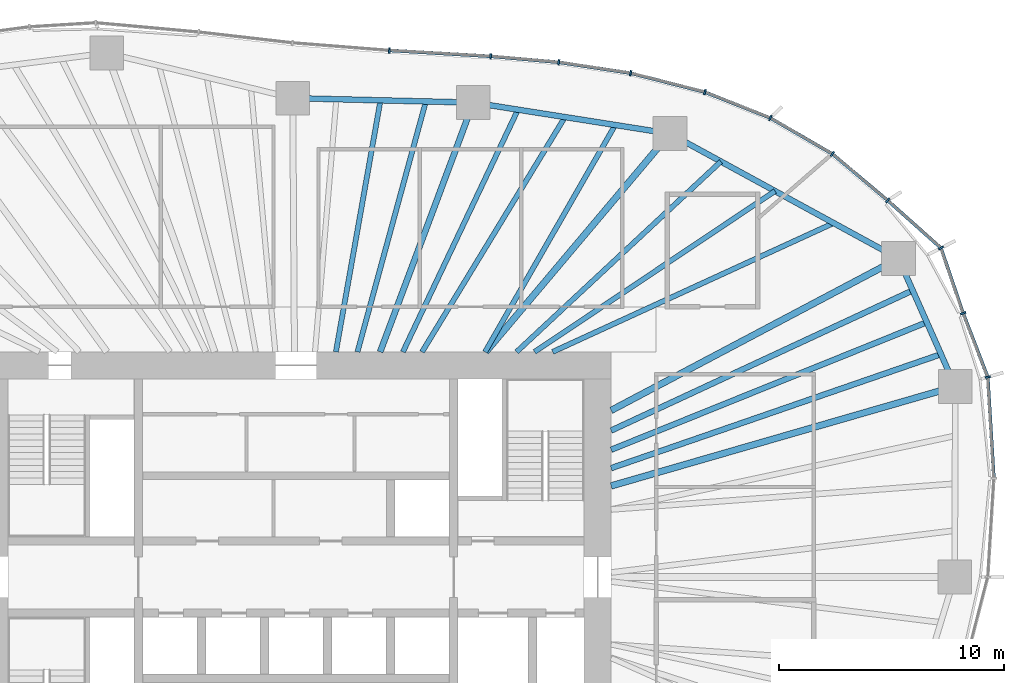
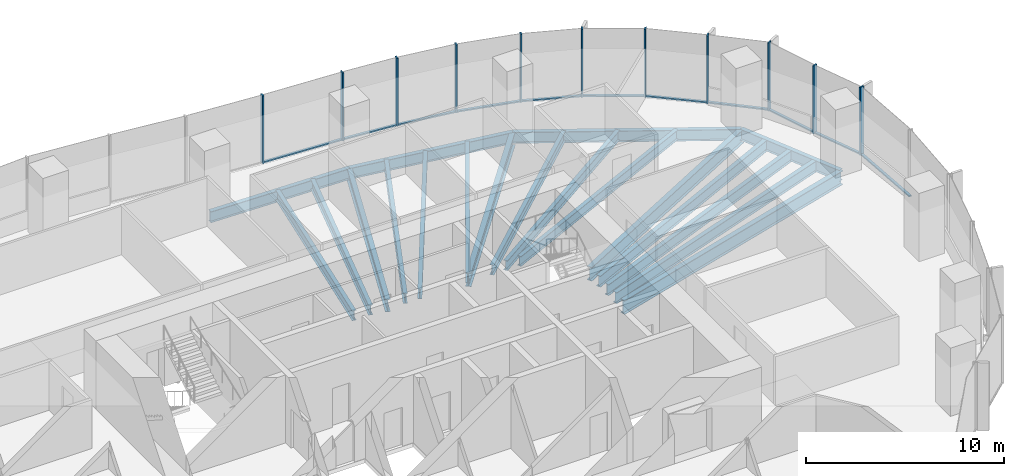
# One storey, part 6 of 18: 22 members, 19 beams, 5 elements without a shape of their own.
"""IFC4 building model written with IfcOpenShell, lengths in metres."""

from ifc_helpers import new_model, si_unit, direction, frame, origin, origin_2d, place, context, subcontext, project, spatial, rectangle, i_section, extrude, material, material_profile, profile_set, type_object, element, aggregate, save


model = new_model("IFC4")

# Units and contexts
model_context = context("Model", 3, precision=1e-05, world=origin(), true_north=direction((0.0, 1.0)))
body_context = subcontext(model_context, "Body", "Model", "MODEL_VIEW")
ifc_project = project(units=[si_unit("LENGTHUNIT", "METRE"), si_unit("AREAUNIT", "SQUARE_METRE"), si_unit("VOLUMEUNIT", "CUBIC_METRE"), si_unit("PLANEANGLEUNIT", "RADIAN"), si_unit("MASSUNIT", "GRAM", prefix="KILO")], contexts=[model_context])

# Site, building, storey
site_placement = place(None, origin())
site = spatial("IfcSite", under=ifc_project, at=site_placement, CompositionType="ELEMENT")
building_placement = place(site_placement, origin())
building = spatial("IfcBuilding", under=site, at=building_placement, Name="Ghaith Harvest Tower", CompositionType="ELEMENT")
storey_placement = place(building_placement, frame((0.0, 0.0, 117.60009765625)))
storey = spatial("IfcBuildingStorey", under=building, at=storey_placement, Name="L24", CompositionType="ELEMENT", Elevation=117.60009765625)

# Curtain wall, members
ifc_material_1 = material(Name="Black anodised aluminium and fritted glass", Category="aluminium")
curtain_wall_type = type_object("IfcCurtainWallType", Name="CW-L CURTAIN WALL", PredefinedType="NOTDEFINED", material=ifc_material_1)
curtain_wall_1_placement = place(storey_placement, origin())
curtain_wall_1 = element("IfcCurtainWall", 1, at=curtain_wall_1_placement, inside=storey, type_object=curtain_wall_type, Name="Curtain wall CW-L bay 02 L24", PredefinedType="NOTDEFINED")
ifc_material_2 = material(Name="Aluminium, black anodised", Category="aluminium")
ifc_material_profile_1 = material_profile(ifc_material_2, rectangle(XDim=0.080078125, YDim=0.239990234375, at=origin_2d()), Name="CW-L MULLION 80x240")
ifc_profile_set_1 = profile_set([ifc_material_profile_1], Name="Aluminium, black anodised")
member_type_1 = type_object("IfcMemberType", Name="CW-L MULLION 80x240", PredefinedType="MULLION", material=ifc_profile_set_1)
member_1_placement = place(storey_placement, frame((30.727294921875, 8.880859375, 0.0), z_axis=(0.0, 0.0, 1.0), x_axis=(-0.183070248196, 0.983099834313, 0.0)))
member_1 = element("IfcMember", 2, at=member_1_placement, type_object=member_type_1, Name="CW-L mullion 1 bay 02 L24", PredefinedType="MULLION", context=body_context, shape_type="SweptSolid", body=[
    extrude(rectangle(XDim=0.080078125, YDim=0.239990234375, at=origin_2d()), origin(), (0.0, 0.0, 1.0), 4.199951171875),
])
member_2_placement = place(storey_placement, frame((29.634521484375, 11.7158203125, 0.0), z_axis=(0.0, 0.0, 1.0), x_axis=(-0.340771198528, 0.940146260033, 0.0)))
member_2 = element("IfcMember", 3, at=member_2_placement, type_object=member_type_1, Name="CW-L mullion 2 bay 02 L24", PredefinedType="MULLION", context=body_context, shape_type="SweptSolid", body=[
    extrude(rectangle(XDim=0.080078125, YDim=0.239990234375, at=origin_2d()), origin(), (0.0, 0.0, 1.0), 4.199951171875),
])
member_3_placement = place(storey_placement, frame((28.64990234375, 14.61181640625, 0.0), z_axis=(0.0, 0.0, 1.0), x_axis=(-0.556324287652, 0.830965274225, 0.0)))
member_3 = element("IfcMember", 4, at=member_3_placement, type_object=member_type_1, Name="CW-L mullion 3 bay 02 L24", PredefinedType="MULLION", context=body_context, shape_type="SweptSolid", body=[
    extrude(rectangle(XDim=0.080078125, YDim=0.239990234375, at=origin_2d()), origin(), (0.0, 0.0, 1.0), 4.199951171875),
])

curtain_wall_2_placement = place(storey_placement, origin())
curtain_wall_2 = element("IfcCurtainWall", 5, at=curtain_wall_2_placement, inside=storey, type_object=curtain_wall_type, Name="Curtain wall CW-L bay 03 L24", PredefinedType="NOTDEFINED")
member_4_placement = place(storey_placement, frame((26.28076171875, 16.725341796875, 0.0), z_axis=(0.0, 0.0, 1.0), x_axis=(-0.755999423268, 0.654572281737, 0.0)))
member_4 = element("IfcMember", 6, at=member_4_placement, type_object=member_type_1, Name="CW-L mullion 1 bay 03 L24", PredefinedType="MULLION", context=body_context, shape_type="SweptSolid", body=[
    extrude(rectangle(XDim=0.080078125, YDim=0.239990234375, at=origin_2d()), origin(), (0.0, 0.0, 1.0), 4.199951171875),
])
member_5_placement = place(storey_placement, frame((23.82177734375, 18.792236328125, 0.0), z_axis=(0.0, 0.0, 1.0), x_axis=(-0.818228862146, 0.574892624018, 0.0)))
member_5 = element("IfcMember", 7, at=member_5_placement, type_object=member_type_1, Name="CW-L mullion 2 bay 03 L24", PredefinedType="MULLION", context=body_context, shape_type="SweptSolid", body=[
    extrude(rectangle(XDim=0.080078125, YDim=0.239990234375, at=origin_2d()), origin(), (0.0, 0.0, 1.0), 4.199951171875),
])
member_6_placement = place(storey_placement, frame((21.066162109375, 20.38916015625, 0.0), z_axis=(0.0, 0.0, 1.0), x_axis=(-0.899713343282, 0.436481270985, 0.0)))
member_6 = element("IfcMember", 8, at=member_6_placement, type_object=member_type_1, Name="CW-L mullion 3 bay 03 L24", PredefinedType="MULLION", context=body_context, shape_type="SweptSolid", body=[
    extrude(rectangle(XDim=0.080078125, YDim=0.239990234375, at=origin_2d()), origin(), (0.0, 0.0, 1.0), 4.199951171875),
])

curtain_wall_3_placement = place(storey_placement, origin())
curtain_wall_3 = element("IfcCurtainWall", 9, at=curtain_wall_3_placement, inside=storey, type_object=curtain_wall_type, Name="Curtain wall CW-L bay 04 L24", PredefinedType="NOTDEFINED")
member_7_placement = place(storey_placement, frame((18.162353515625, 21.537841796875, 0.0), z_axis=(0.0, 0.0, 1.0), x_axis=(-0.952152258113, 0.30562407852, 0.0)))
member_7 = element("IfcMember", 10, at=member_7_placement, type_object=member_type_1, Name="CW-L mullion 1 bay 04 L24", PredefinedType="MULLION", context=body_context, shape_type="SweptSolid", body=[
    extrude(rectangle(XDim=0.080078125, YDim=0.239990234375, at=origin_2d()), origin(), (0.0, 0.0, 1.0), 4.199951171875),
])
member_8_placement = place(storey_placement, frame((14.86474609375, 22.379638671875, 0.0), z_axis=(0.0, 0.0, 1.0), x_axis=(-0.979751952122, 0.200215165041, 0.0)))
member_8 = element("IfcMember", 11, at=member_8_placement, type_object=member_type_1, Name="CW-L mullion 2 bay 04 L24", PredefinedType="MULLION", context=body_context, shape_type="SweptSolid", body=[
    extrude(rectangle(XDim=0.080078125, YDim=0.239990234375, at=origin_2d()), origin(), (0.0, 0.0, 1.0), 4.199951171875),
])
member_9_placement = place(storey_placement, frame((11.672607421875, 22.864013671875, 0.0), z_axis=(0.0, 0.0, 1.0), x_axis=(-0.992800497873, 0.119779678673, 0.0)))
member_9 = element("IfcMember", 12, at=member_9_placement, type_object=member_type_1, Name="CW-L mullion 3 bay 04 L24", PredefinedType="MULLION", context=body_context, shape_type="SweptSolid", body=[
    extrude(rectangle(XDim=0.080078125, YDim=0.239990234375, at=origin_2d()), origin(), (0.0, 0.0, 1.0), 4.199951171875),
])

curtain_wall_4_placement = place(storey_placement, origin())
curtain_wall_4 = element("IfcCurtainWall", 13, at=curtain_wall_4_placement, inside=storey, type_object=curtain_wall_type, Name="Curtain wall CW-L bay 05 L24", PredefinedType="NOTDEFINED")
member_10_placement = place(storey_placement, frame((8.646728515625, 23.1298828125, 0.0), z_axis=(0.0, 0.0, 1.0), x_axis=(-0.997558767319, 0.069831982257, 0.0)))
member_10 = element("IfcMember", 14, at=member_10_placement, type_object=member_type_1, Name="CW-L mullion 1 bay 05 L24", PredefinedType="MULLION", context=body_context, shape_type="SweptSolid", body=[
    extrude(rectangle(XDim=0.080078125, YDim=0.239990234375, at=origin_2d()), origin(), (0.0, 0.0, 1.0), 4.199951171875),
])
member_11_placement = place(storey_placement, frame((4.146728515625, 23.390869140625, 0.0), z_axis=(0.0, 0.0, 1.0), x_axis=(-0.997689895047, 0.067932858925, 0.0)))
member_11 = element("IfcMember", 15, at=member_11_placement, type_object=member_type_1, Name="CW-L mullion 2 bay 05 L24", PredefinedType="MULLION", context=body_context, shape_type="SweptSolid", body=[
    extrude(rectangle(XDim=0.080078125, YDim=0.239990234375, at=origin_2d()), origin(), (0.0, 0.0, 1.0), 4.199951171875),
])

# Curtain wall, member
curtain_wall_5_placement = place(storey_placement, origin())
curtain_wall_5 = element("IfcCurtainWall", 16, at=curtain_wall_5_placement, inside=storey, type_object=curtain_wall_type, Name="Curtain wall CW-L bay 01 L24", PredefinedType="NOTDEFINED")
ifc_material_3 = material(Name="Aluminium, black anodised", Category="aluminium")
ifc_material_profile_2 = material_profile(ifc_material_3, rectangle(XDim=0.14990234375, YDim=0.080078125, at=origin_2d()), Name="CW-L TRANSOM 150x80")
ifc_profile_set_2 = profile_set([ifc_material_profile_2], Name="Aluminium, black anodised")
member_type_2 = type_object("IfcMemberType", Name="CW-L TRANSOM 150x80", PredefinedType="USERDEFINED", material=ifc_profile_set_2)
member_12_placement = place(storey_placement, frame((30.996337890625, 4.4296875, 0.039794921875), z_axis=(-0.060328261132, 0.99817859169, 0.0), x_axis=(-0.99817859169, -0.060328261132, 0.0)))
member_12 = element("IfcMember", 17, at=member_12_placement, type_object=member_type_2, Name="CW-L transom 2 bay 01 L24", ObjectType="TRANSOM", PredefinedType="USERDEFINED", context=body_context, shape_type="SweptSolid", body=[
    extrude(rectangle(XDim=0.14990234375, YDim=0.080078125, at=origin_2d()), origin(), (0.0, 0.0, 1.0), 4.419189453125),
])
aggregate(curtain_wall_5, [member_12])

# Member
member_13_placement = place(storey_placement, frame((30.712890625, 8.918212890625, 0.039794921875), z_axis=(-0.359637050526, 0.933092274048, 0.0), x_axis=(-0.933092274048, -0.359637050526, 0.0)))
member_13 = element("IfcMember", 18, at=member_13_placement, type_object=member_type_2, Name="CW-L transom 1 bay 02 L24", ObjectType="TRANSOM", PredefinedType="USERDEFINED", context=body_context, shape_type="SweptSolid", body=[
    extrude(rectangle(XDim=0.14990234375, YDim=0.080078125, at=origin_2d()), origin(), (0.0, 0.0, 1.0), 2.95849609375),
])

member_14_placement = place(storey_placement, frame((29.62158203125, 11.75390625, 0.039794921875), z_axis=(-0.321877752664, 0.946781237847, 0.0), x_axis=(-0.946781237847, -0.321877752664, 0.0)))
member_14 = element("IfcMember", 19, at=member_14_placement, type_object=member_type_2, Name="CW-L transom 2 bay 02 L24", ObjectType="TRANSOM", PredefinedType="USERDEFINED", context=body_context, shape_type="SweptSolid", body=[
    extrude(rectangle(XDim=0.14990234375, YDim=0.080078125, at=origin_2d()), origin(), (0.0, 0.0, 1.0), 2.978515625),
])

member_15_placement = place(storey_placement, frame((28.6201171875, 14.638427734375, 0.039794921875), z_axis=(-0.74622871112, 0.665689650438, 0.0), x_axis=(-0.665689650438, -0.74622871112, 0.0)))
member_15 = element("IfcMember", 20, at=member_15_placement, type_object=member_type_2, Name="CW-L transom 3 bay 02 L24", ObjectType="TRANSOM", PredefinedType="USERDEFINED", context=body_context, shape_type="SweptSolid", body=[
    extrude(rectangle(XDim=0.14990234375, YDim=0.080078125, at=origin_2d()), origin(), (0.0, 0.0, 1.0), 3.094970703125),
])

aggregate(curtain_wall_1, [member_1, member_13, member_2, member_14, member_3, member_15])

member_16_placement = place(storey_placement, frame((26.25, 16.7509765625, 0.039794921875), z_axis=(-0.765428400685, 0.643521066808, 0.0), x_axis=(-0.643521066808, -0.765428400685, 0.0)))
member_16 = element("IfcMember", 21, at=member_16_placement, type_object=member_type_2, Name="CW-L transom 1 bay 03 L24", ObjectType="TRANSOM", PredefinedType="USERDEFINED", context=body_context, shape_type="SweptSolid", body=[
    extrude(rectangle(XDim=0.14990234375, YDim=0.080078125, at=origin_2d()), origin(), (0.0, 0.0, 1.0), 3.132080078125),
])

member_17_placement = place(storey_placement, frame((23.787353515625, 18.812255859375, 0.039794921875), z_axis=(-0.865212673937, 0.50140505468, 0.0), x_axis=(-0.50140505468, -0.865212673937, 0.0)))
member_17 = element("IfcMember", 22, at=member_17_placement, type_object=member_type_2, Name="CW-L transom 2 bay 03 L24", ObjectType="TRANSOM", PredefinedType="USERDEFINED", context=body_context, shape_type="SweptSolid", body=[
    extrude(rectangle(XDim=0.14990234375, YDim=0.080078125, at=origin_2d()), origin(), (0.0, 0.0, 1.0), 3.10498046875),
])

member_18_placement = place(storey_placement, frame((21.029052734375, 20.40380859375, 0.039794921875), z_axis=(-0.929880954826, 0.367860584804, 0.0), x_axis=(-0.367860584804, -0.929880954826, 0.0)))
member_18 = element("IfcMember", 23, at=member_18_placement, type_object=member_type_2, Name="CW-L transom 3 bay 03 L24", ObjectType="TRANSOM", PredefinedType="USERDEFINED", context=body_context, shape_type="SweptSolid", body=[
    extrude(rectangle(XDim=0.14990234375, YDim=0.080078125, at=origin_2d()), origin(), (0.0, 0.0, 1.0), 3.04296875),
])

aggregate(curtain_wall_2, [member_4, member_16, member_5, member_17, member_6, member_18])

member_19_placement = place(storey_placement, frame((18.12353515625, 21.5478515625, 0.039794921875), z_axis=(-0.968942433805, 0.247286392614, 0.0), x_axis=(-0.247286392614, -0.968942433805, 0.0)))
member_19 = element("IfcMember", 24, at=member_19_placement, type_object=member_type_2, Name="CW-L transom 1 bay 04 L24", ObjectType="TRANSOM", PredefinedType="USERDEFINED", context=body_context, shape_type="SweptSolid", body=[
    extrude(rectangle(XDim=0.14990234375, YDim=0.080078125, at=origin_2d()), origin(), (0.0, 0.0, 1.0), 3.3232421875),
])

member_20_placement = place(storey_placement, frame((14.8251953125, 22.3857421875, 0.039794921875), z_axis=(-0.988680676153, 0.150035064572, 0.0), x_axis=(-0.150035064572, -0.988680676153, 0.0)))
member_20 = element("IfcMember", 25, at=member_20_placement, type_object=member_type_2, Name="CW-L transom 2 bay 04 L24", ObjectType="TRANSOM", PredefinedType="USERDEFINED", context=body_context, shape_type="SweptSolid", body=[
    extrude(rectangle(XDim=0.14990234375, YDim=0.080078125, at=origin_2d()), origin(), (0.0, 0.0, 1.0), 3.148681640625),
])

member_21_placement = place(storey_placement, frame((11.632568359375, 22.86767578125, 0.039794921875), z_axis=(-0.996171193061, 0.087423990507, 0.0), x_axis=(-0.087423990507, -0.996171193061, 0.0)))
member_21 = element("IfcMember", 26, at=member_21_placement, type_object=member_type_2, Name="CW-L transom 3 bay 04 L24", ObjectType="TRANSOM", PredefinedType="USERDEFINED", context=body_context, shape_type="SweptSolid", body=[
    extrude(rectangle(XDim=0.14990234375, YDim=0.080078125, at=origin_2d()), origin(), (0.0, 0.0, 1.0), 2.957275390625),
])

aggregate(curtain_wall_3, [member_7, member_19, member_8, member_20, member_9, member_21])

member_22_placement = place(storey_placement, frame((8.60693359375, 23.132080078125, 0.039794921875), z_axis=(-0.998319515187, 0.057949509028, 0.0), x_axis=(-0.057949509028, -0.998319515187, 0.0)))
member_22 = element("IfcMember", 27, at=member_22_placement, type_object=member_type_2, Name="CW-L transom 1 bay 05 L24", ObjectType="TRANSOM", PredefinedType="USERDEFINED", context=body_context, shape_type="SweptSolid", body=[
    extrude(rectangle(XDim=0.14990234375, YDim=0.080078125, at=origin_2d()), origin(), (0.0, 0.0, 1.0), 4.427734375),
])

aggregate(curtain_wall_4, [member_10, member_22, member_11])

# Beams
ifc_material_4 = material(Name="Steel ASTM A992 Grade 50", Category="steel")
ifc_material_profile_3 = material_profile(ifc_material_4, i_section(OverallWidth=0.25390625, OverallDepth=0.68408203125, WebThickness=0.012451171875, FlangeThickness=0.018798828125, at=origin_2d()), Name="W690X140")
ifc_profile_set_3 = profile_set([ifc_material_profile_3], Name="Steel ASTM A992 Grade 50")
beam_type_1 = type_object("IfcBeamType", Name="E690-140 W690X140", PredefinedType="SPANDREL", material=ifc_profile_set_3)
beam_1_placement = place(storey_placement, frame((29.285888671875, 8.464111328125, -0.51220703125), z_axis=(-0.405635615749, 0.914034872002, 0.0), x_axis=(-0.914034872002, -0.405635615749, 0.0)))
element("IfcBeam", 28, at=beam_1_placement, inside=storey, type_object=beam_type_1, Name="Edge beam E02 L24", PredefinedType="SPANDREL", context=body_context, shape_type="SweptSolid", body=[
    extrude(i_section(OverallWidth=0.25390625, OverallDepth=0.68408203125, WebThickness=0.012451171875, FlangeThickness=0.018798828125, at=origin_2d()), origin(), (0.0, 0.0, 1.0), 6.21728515625),
])
beam_2_placement = place(storey_placement, frame((26.763916015625, 14.14697265625, -0.51220703125), z_axis=(-0.877588218279, 0.479415184509, 0.0), x_axis=(-0.479415184509, -0.877588218279, 0.0)))
element("IfcBeam", 29, at=beam_2_placement, inside=storey, type_object=beam_type_1, Name="Edge beam E03 L24", PredefinedType="SPANDREL", context=body_context, shape_type="SweptSolid", body=[
    extrude(i_section(OverallWidth=0.25390625, OverallDepth=0.68408203125, WebThickness=0.012451171875, FlangeThickness=0.018798828125, at=origin_2d()), origin(), (0.0, 0.0, 1.0), 11.57275390625),
])
beam_3_placement = place(storey_placement, frame((16.60791015625, 19.695068359375, -0.51220703125), z_axis=(-0.987788485872, 0.155800857439, 0.0), x_axis=(-0.155800857439, -0.987788485872, 0.0)))
element("IfcBeam", 30, at=beam_3_placement, inside=storey, type_object=beam_type_1, Name="Edge beam E04 L24", PredefinedType="SPANDREL", context=body_context, shape_type="SweptSolid", body=[
    extrude(i_section(OverallWidth=0.25390625, OverallDepth=0.68408203125, WebThickness=0.012451171875, FlangeThickness=0.018798828125, at=origin_2d()), origin(), (0.0, 0.0, 1.0), 8.837890625),
])
beam_4_placement = place(storey_placement, frame((7.8779296875, 21.072021484375, -0.51220703125), z_axis=(-0.999692679676, 0.024790042413, 0.0), x_axis=(-0.024790042413, -0.999692679676, 0.0)))
element("IfcBeam", 31, at=beam_4_placement, inside=storey, type_object=beam_type_1, Name="Edge beam E05 L24", PredefinedType="SPANDREL", context=body_context, shape_type="SweptSolid", body=[
    extrude(i_section(OverallWidth=0.25390625, OverallDepth=0.68408203125, WebThickness=0.012451171875, FlangeThickness=0.018798828125, at=origin_2d()), origin(), (0.0, 0.0, 1.0), 8.0263671875),
])
ifc_material_5 = material(Name="Steel ASTM A992 Grade 50", Category="steel")
ifc_material_profile_4 = material_profile(ifc_material_5, i_section(OverallWidth=0.26806640625, OverallDepth=0.77001953125, WebThickness=0.015625, FlangeThickness=0.025390625, at=origin_2d()), Name="W760X196")
ifc_profile_set_4 = profile_set([ifc_material_profile_4], Name="Steel ASTM A992 Grade 50")
beam_type_2 = type_object("IfcBeamType", Name="G760-196 W760X196", PredefinedType="BEAM", material=ifc_profile_set_4)
beam_5_placement = place(storey_placement, frame((3.73828125, 10.0, -0.55517578125), z_axis=(0.350206582147, 0.936672488024, 0.0), x_axis=(-0.936672488024, 0.350206582147, 0.0)))
element("IfcBeam", 32, at=beam_5_placement, inside=storey, type_object=beam_type_2, Name="Radial girder G05 L24", PredefinedType="BEAM", context=body_context, shape_type="SweptSolid", body=[
    extrude(i_section(OverallWidth=0.26806640625, OverallDepth=0.77001953125, WebThickness=0.015625, FlangeThickness=0.025390625, at=origin_2d()), origin(), (0.0, 0.0, 1.0), 11.820556640625),
])
ifc_material_6 = material(Name="Steel ASTM A992 Grade 50", Category="steel")
ifc_material_profile_5 = material_profile(ifc_material_6, i_section(OverallWidth=0.2939453125, OverallDepth=0.85107421875, WebThickness=0.01611328125, FlangeThickness=0.02685546875, at=origin_2d()), Name="W840X226")
ifc_profile_set_5 = profile_set([ifc_material_profile_5], Name="Steel ASTM A992 Grade 50")
beam_type_3 = type_object("IfcBeamType", Name="G840-226 W840X226", PredefinedType="BEAM", material=ifc_profile_set_5)
beam_6_placement = place(storey_placement, frame((14.0, 4.04638671875, -0.595703125), z_axis=(0.960683993303, 0.27764413376, 0.0), x_axis=(-0.27764413376, 0.960683993303, 0.0)))
element("IfcBeam", 33, at=beam_6_placement, inside=storey, type_object=beam_type_3, Name="Radial girder G02 L24", PredefinedType="BEAM", context=body_context, shape_type="SweptSolid", body=[
    extrude(i_section(OverallWidth=0.2939453125, OverallDepth=0.85107421875, WebThickness=0.01611328125, FlangeThickness=0.02685546875, at=origin_2d()), origin(), (0.0, 0.0, 1.0), 15.911376953125),
])
beam_7_placement = place(storey_placement, frame((14.0, 7.39990234375, -0.595703125), z_axis=(0.884082663971, 0.467330550324, 0.0), x_axis=(-0.467330550324, 0.884082663971, 0.0)))
element("IfcBeam", 34, at=beam_7_placement, inside=storey, type_object=beam_type_3, Name="Radial girder G03 L24", PredefinedType="BEAM", context=body_context, shape_type="SweptSolid", body=[
    extrude(i_section(OverallWidth=0.2939453125, OverallDepth=0.85107421875, WebThickness=0.01611328125, FlangeThickness=0.02685546875, at=origin_2d()), origin(), (0.0, 0.0, 1.0), 14.4375),
])
beam_8_placement = place(storey_placement, frame((8.4326171875, 10.0, -0.595703125), z_axis=(0.644644245772, 0.764482698557, 0.0), x_axis=(-0.764482698557, 0.644644245772, 0.0)))
element("IfcBeam", 35, at=beam_8_placement, inside=storey, type_object=beam_type_3, Name="Radial girder G04 L24", PredefinedType="BEAM", context=body_context, shape_type="SweptSolid", body=[
    extrude(i_section(OverallWidth=0.2939453125, OverallDepth=0.85107421875, WebThickness=0.01611328125, FlangeThickness=0.02685546875, at=origin_2d()), origin(), (0.0, 0.0, 1.0), 12.681884765625),
])
ifc_material_7 = material(Name="Steel ASTM A992 Grade 50", Category="steel")
ifc_material_profile_6 = material_profile(ifc_material_7, i_section(OverallWidth=0.22900390625, OverallDepth=0.612060546875, WebThickness=0.011962890625, FlangeThickness=0.01953125, at=origin_2d()), Name="W610X125")
ifc_profile_set_6 = profile_set([ifc_material_profile_6], Name="Steel ASTM A992 Grade 50")
beam_type_4 = type_object("IfcBeamType", Name="J610-125 W610X125", PredefinedType="JOIST", material=ifc_profile_set_6)
beam_9_placement = place(storey_placement, frame((11.39990234375, 10.0, -0.47607421875), z_axis=(0.909014022454, 0.416765529983, 0.0), x_axis=(-0.416765529983, 0.909014022454, 0.0)))
element("IfcBeam", 36, at=beam_9_placement, inside=storey, type_object=beam_type_4, Name="Joist J03.1 L24", PredefinedType="JOIST", context=body_context, shape_type="SweptSolid", body=[
    extrude(i_section(OverallWidth=0.22900390625, OverallDepth=0.612060546875, WebThickness=0.011962890625, FlangeThickness=0.01953125, at=origin_2d()), origin(), (0.0, 0.0, 1.0), 13.72998046875),
])
beam_10_placement = place(storey_placement, frame((10.60009765625, 10.0, -0.47607421875), z_axis=(0.831116486766, 0.556098359489, 0.0), x_axis=(-0.556098359489, 0.831116486766, 0.0)))
element("IfcBeam", 37, at=beam_10_placement, inside=storey, type_object=beam_type_4, Name="Joist J03.2 L24", PredefinedType="JOIST", context=body_context, shape_type="SweptSolid", body=[
    extrude(i_section(OverallWidth=0.22900390625, OverallDepth=0.612060546875, WebThickness=0.011962890625, FlangeThickness=0.01953125, at=origin_2d()), origin(), (0.0, 0.0, 1.0), 12.84716796875),
])
beam_11_placement = place(storey_placement, frame((9.800048828125, 10.0, -0.47607421875), z_axis=(0.731538123562, 0.681800538116, 0.0), x_axis=(-0.681800538116, 0.731538123562, 0.0)))
element("IfcBeam", 38, at=beam_11_placement, inside=storey, type_object=beam_type_4, Name="Joist J03.3 L24", PredefinedType="JOIST", context=body_context, shape_type="SweptSolid", body=[
    extrude(i_section(OverallWidth=0.22900390625, OverallDepth=0.612060546875, WebThickness=0.011962890625, FlangeThickness=0.01953125, at=origin_2d()), origin(), (0.0, 0.0, 1.0), 12.404052734375),
])
beam_12_placement = place(storey_placement, frame((8.39990234375, 10.0, -0.47607421875), z_axis=(0.497444212127, 0.867495968764, 0.0), x_axis=(-0.867495968764, 0.497444212127, 0.0)))
element("IfcBeam", 39, at=beam_12_placement, inside=storey, type_object=beam_type_4, Name="Joist J04.1 L24", PredefinedType="JOIST", context=body_context, shape_type="SweptSolid", body=[
    extrude(i_section(OverallWidth=0.22900390625, OverallDepth=0.612060546875, WebThickness=0.011962890625, FlangeThickness=0.01953125, at=origin_2d()), origin(), (0.0, 0.0, 1.0), 11.617431640625),
])
beam_13_placement = place(storey_placement, frame((5.60009765625, 10.0, -0.47607421875), z_axis=(0.519863845761, 0.854249133374, 0.0), x_axis=(-0.854249133374, 0.519863845761, 0.0)))
element("IfcBeam", 40, at=beam_13_placement, inside=storey, type_object=beam_type_4, Name="Joist J04.2 L24", PredefinedType="JOIST", context=body_context, shape_type="SweptSolid", body=[
    extrude(i_section(OverallWidth=0.22900390625, OverallDepth=0.612060546875, WebThickness=0.011962890625, FlangeThickness=0.01953125, at=origin_2d()), origin(), (0.0, 0.0, 1.0), 12.209716796875),
])
beam_14_placement = place(storey_placement, frame((4.75, 10.0, -0.47607421875), z_axis=(0.429069356877, 0.903271546651, 0.0), x_axis=(-0.903271546651, 0.429069356877, 0.0)))
element("IfcBeam", 41, at=beam_14_placement, inside=storey, type_object=beam_type_4, Name="Joist J04.3 L24", PredefinedType="JOIST", context=body_context, shape_type="SweptSolid", body=[
    extrude(i_section(OverallWidth=0.22900390625, OverallDepth=0.612060546875, WebThickness=0.011962890625, FlangeThickness=0.01953125, at=origin_2d()), origin(), (0.0, 0.0, 1.0), 11.911376953125),
])
beam_15_placement = place(storey_placement, frame((2.73095703125, 10.0, -0.47607421875), z_axis=(0.263455967932, 0.964671422279, 0.0), x_axis=(-0.964671422279, 0.263455967932, 0.0)))
element("IfcBeam", 42, at=beam_15_placement, inside=storey, type_object=beam_type_4, Name="Joist J05.1 L24", PredefinedType="JOIST", context=body_context, shape_type="SweptSolid", body=[
    extrude(i_section(OverallWidth=0.22900390625, OverallDepth=0.612060546875, WebThickness=0.011962890625, FlangeThickness=0.01953125, at=origin_2d()), origin(), (0.0, 0.0, 1.0), 11.53173828125),
])
beam_16_placement = place(storey_placement, frame((1.772705078125, 10.0, -0.47607421875), z_axis=(0.17455599258, 0.984647249249, 0.0), x_axis=(-0.984647249249, 0.17455599258, 0.0)))
element("IfcBeam", 43, at=beam_16_placement, inside=storey, type_object=beam_type_4, Name="Joist J05.2 L24", PredefinedType="JOIST", context=body_context, shape_type="SweptSolid", body=[
    extrude(i_section(OverallWidth=0.22900390625, OverallDepth=0.612060546875, WebThickness=0.011962890625, FlangeThickness=0.01953125, at=origin_2d()), origin(), (0.0, 0.0, 1.0), 11.3486328125),
])
ifc_material_8 = material(Name="Steel ASTM A992 Grade 50", Category="steel")
ifc_material_profile_7 = material_profile(ifc_material_8, i_section(OverallWidth=0.25390625, OverallDepth=0.68408203125, WebThickness=0.012451171875, FlangeThickness=0.018798828125, at=origin_2d()), Name="W690X140")
ifc_profile_set_7 = profile_set([ifc_material_profile_7], Name="Steel ASTM A992 Grade 50")
beam_type_5 = type_object("IfcBeamType", Name="J690-140 W690X140", PredefinedType="JOIST", material=ifc_profile_set_7)
beam_17_placement = place(storey_placement, frame((14.0, 4.835693359375, -0.51220703125), z_axis=(0.945204964965, 0.32647752481, 0.0), x_axis=(-0.32647752481, 0.945204964965, 0.0)))
element("IfcBeam", 44, at=beam_17_placement, inside=storey, type_object=beam_type_5, Name="Joist J02.1 L24", PredefinedType="JOIST", context=body_context, shape_type="SweptSolid", body=[
    extrude(i_section(OverallWidth=0.25390625, OverallDepth=0.68408203125, WebThickness=0.012451171875, FlangeThickness=0.018798828125, at=origin_2d()), origin(), (0.0, 0.0, 1.0), 15.499755859375),
])
beam_18_placement = place(storey_placement, frame((14.0, 5.653564453125, -0.51220703125), z_axis=(0.927247874511, 0.374448099495, 0.0), x_axis=(-0.374448099495, 0.927247874511, 0.0)))
element("IfcBeam", 45, at=beam_18_placement, inside=storey, type_object=beam_type_5, Name="Joist J02.2 L24", PredefinedType="JOIST", context=body_context, shape_type="SweptSolid", body=[
    extrude(i_section(OverallWidth=0.25390625, OverallDepth=0.68408203125, WebThickness=0.012451171875, FlangeThickness=0.018798828125, at=origin_2d()), origin(), (0.0, 0.0, 1.0), 15.12060546875),
])
beam_19_placement = place(storey_placement, frame((14.0, 6.506103515625, -0.51220703125), z_axis=(0.906865717917, 0.42141970726, 0.0), x_axis=(-0.42141970726, 0.906865717917, 0.0)))
element("IfcBeam", 46, at=beam_19_placement, inside=storey, type_object=beam_type_5, Name="Joist J02.3 L24", PredefinedType="JOIST", context=body_context, shape_type="SweptSolid", body=[
    extrude(i_section(OverallWidth=0.25390625, OverallDepth=0.68408203125, WebThickness=0.012451171875, FlangeThickness=0.018798828125, at=origin_2d()), origin(), (0.0, 0.0, 1.0), 14.768310546875),
])

save(model, "model.ifc")
